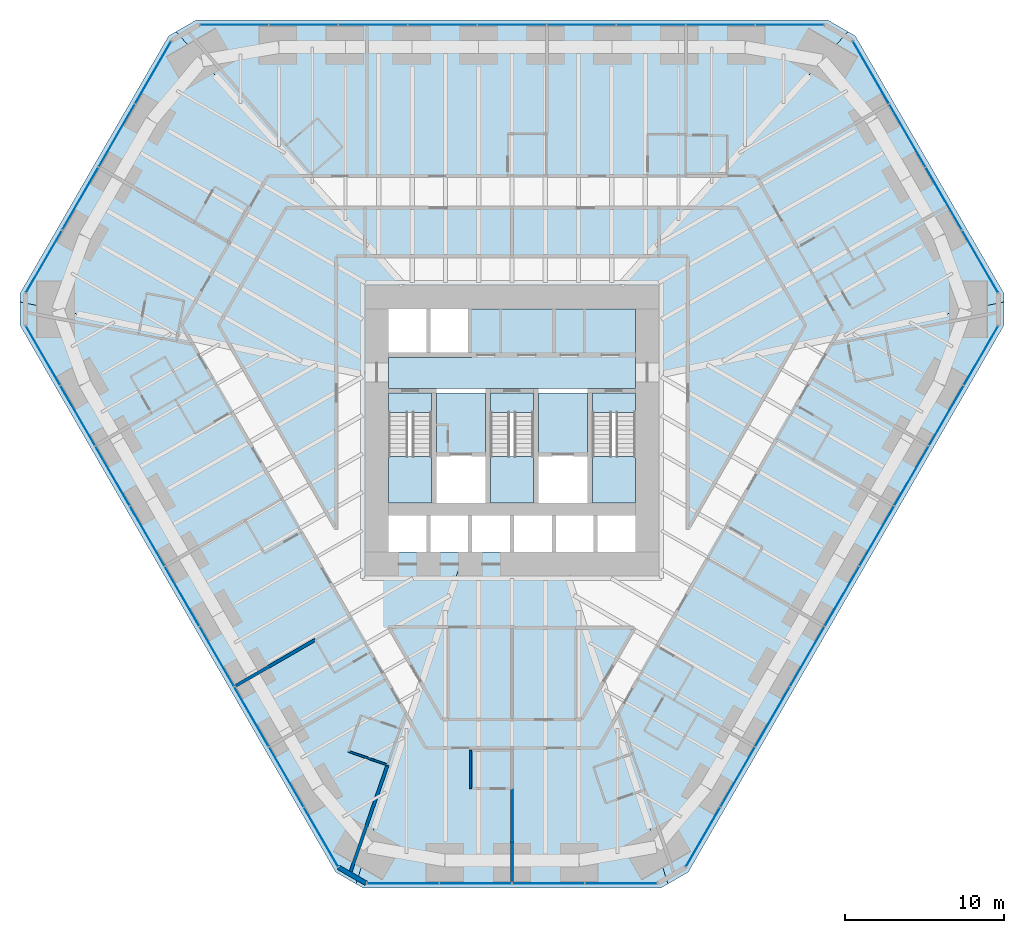
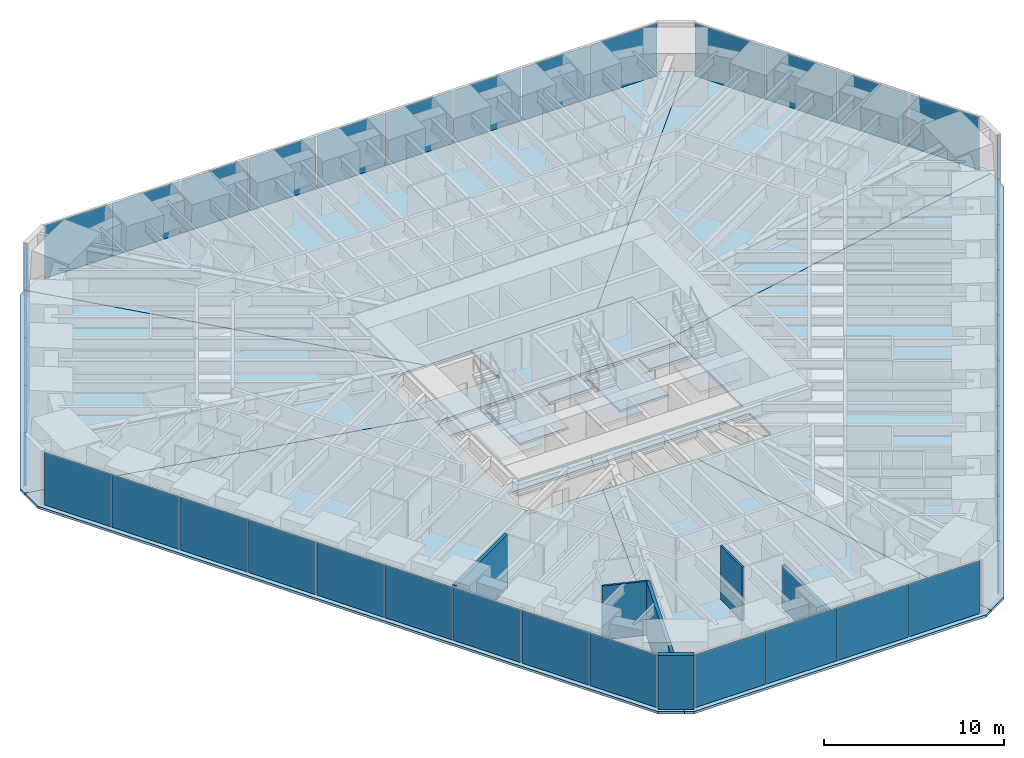
# One storey, part 10 of 17: 39 plates, 15 slabs, 6 walls, 9 elements without a shape of their own.
"""IFC4 building model written with IfcOpenShell, lengths in metres."""

from ifc_helpers import new_model, si_unit, direction, frame, frame_2d, origin, origin_2d, place, context, subcontext, project, spatial, polyline, rectangle, outline, extrude, material, layer, layer_set, type_object, element, aggregate, save


model = new_model("IFC4")

# Units and contexts
model_context = context("Model", 3, precision=1e-05, world=origin(), true_north=direction((0.0, 1.0)))
body_context = subcontext(model_context, "Body", "Model", "MODEL_VIEW")
ifc_project = project(units=[si_unit("LENGTHUNIT", "METRE"), si_unit("AREAUNIT", "SQUARE_METRE"), si_unit("VOLUMEUNIT", "CUBIC_METRE"), si_unit("PLANEANGLEUNIT", "RADIAN"), si_unit("MASSUNIT", "GRAM", prefix="KILO")], contexts=[model_context])

# Site, building, storey
site_placement = place(None, origin())
site = spatial("IfcSite", under=ifc_project, at=site_placement, CompositionType="ELEMENT")
building_placement = place(site_placement, origin())
building = spatial("IfcBuilding", under=site, at=building_placement, Name="Sandreach Pilgrim Tower", CompositionType="ELEMENT")
storey_placement = place(building_placement, frame((0.0, 0.0, 57.199951171875)))
storey = spatial("IfcBuildingStorey", under=building, at=storey_placement, Name="L13", CompositionType="ELEMENT", Elevation=57.199951171875)

# Curtain wall, plates
ifc_material_1 = material(Name="Aluminium framed curtain wall", Category="aluminium")
curtain_wall_type = type_object("IfcCurtainWallType", Name="Hostel tower curtain wall", PredefinedType="NOTDEFINED", material=ifc_material_1)
curtain_wall_1_placement = place(storey_placement, origin())
curtain_wall_1 = element("IfcCurtainWall", 1, at=curtain_wall_1_placement, inside=storey, type_object=curtain_wall_type, Name="CW-1 L13 N", PredefinedType="NOTDEFINED")
ifc_material_2 = material(Name="Insulating glass unit 6 heat-strengthened + 12 argon + 6 heat-strengthened", Category="glass")
ifc_layer_1 = layer(ifc_material_2, 0.02392578125)
ifc_layer_set_1 = layer_set([ifc_layer_1], Name="CW-1 panel")
plate_type = type_object("IfcPlateType", Name="CW-1 panel", PredefinedType="CURTAIN_PANEL", material=ifc_layer_set_1)
plate_1_placement = place(storey_placement, frame((-17.469970703125, 23.94873046875, 0.0), z_axis=(0.0, 0.0, 1.0), x_axis=(1.0, 0.0, 0.0)))
plate_1 = element("IfcPlate", 2, at=plate_1_placement, type_object=plate_type, Name="CW-1 panel 1", PredefinedType="CURTAIN_PANEL", context=body_context, shape_type="SweptSolid", body=[
    extrude(rectangle(XDim=4.274169921875, YDim=0.02392578125, at=origin_2d()), origin(), (0.0, 0.0, 1.0), 3.570068359375),
])
plate_2_placement = place(storey_placement, frame((-13.11474609375, 23.94873046875, 0.0), z_axis=(0.0, 0.0, 1.0), x_axis=(1.0, 0.0, 0.0)))
plate_2 = element("IfcPlate", 3, at=plate_2_placement, type_object=plate_type, Name="CW-1 panel 2", PredefinedType="CURTAIN_PANEL", context=body_context, shape_type="SweptSolid", body=[
    extrude(rectangle(XDim=4.306640625, YDim=0.02392578125, at=origin_2d()), origin(), (0.0, 0.0, 1.0), 3.570068359375),
])
plate_3_placement = place(storey_placement, frame((-8.7431640625, 23.94873046875, 0.0), z_axis=(0.0, 0.0, 1.0), x_axis=(1.0, 0.0, 0.0)))
plate_3 = element("IfcPlate", 4, at=plate_3_placement, type_object=plate_type, Name="CW-1 panel 3", PredefinedType="CURTAIN_PANEL", context=body_context, shape_type="SweptSolid", body=[
    extrude(rectangle(XDim=4.306640625, YDim=0.02392578125, at=origin_2d()), origin(), (0.0, 0.0, 1.0), 3.570068359375),
])
plate_4_placement = place(storey_placement, frame((-4.37158203125, 23.94873046875, 0.0), z_axis=(0.0, 0.0, 1.0), x_axis=(1.0, 0.0, 0.0)))
plate_4 = element("IfcPlate", 5, at=plate_4_placement, type_object=plate_type, Name="CW-1 panel 4", PredefinedType="CURTAIN_PANEL", context=body_context, shape_type="SweptSolid", body=[
    extrude(rectangle(XDim=4.306640625, YDim=0.02392578125, at=origin_2d()), origin(), (0.0, 0.0, 1.0), 3.570068359375),
])
plate_5_placement = place(storey_placement, frame((0.0, 23.94873046875, 0.0), z_axis=(0.0, 0.0, 1.0), x_axis=(1.0, 0.0, 0.0)))
plate_5 = element("IfcPlate", 6, at=plate_5_placement, type_object=plate_type, Name="CW-1 panel 5", PredefinedType="CURTAIN_PANEL", context=body_context, shape_type="SweptSolid", body=[
    extrude(rectangle(XDim=4.306640625, YDim=0.02392578125, at=origin_2d()), origin(), (0.0, 0.0, 1.0), 3.570068359375),
])
plate_6_placement = place(storey_placement, frame((4.37158203125, 23.94873046875, 0.0), z_axis=(0.0, 0.0, 1.0), x_axis=(1.0, 0.0, 0.0)))
plate_6 = element("IfcPlate", 7, at=plate_6_placement, type_object=plate_type, Name="CW-1 panel 6", PredefinedType="CURTAIN_PANEL", context=body_context, shape_type="SweptSolid", body=[
    extrude(rectangle(XDim=4.306640625, YDim=0.02392578125, at=origin_2d()), origin(), (0.0, 0.0, 1.0), 3.570068359375),
])
plate_7_placement = place(storey_placement, frame((8.7431640625, 23.94873046875, 0.0), z_axis=(0.0, 0.0, 1.0), x_axis=(1.0, 0.0, 0.0)))
plate_7 = element("IfcPlate", 8, at=plate_7_placement, type_object=plate_type, Name="CW-1 panel 7", PredefinedType="CURTAIN_PANEL", context=body_context, shape_type="SweptSolid", body=[
    extrude(rectangle(XDim=4.306640625, YDim=0.02392578125, at=origin_2d()), origin(), (0.0, 0.0, 1.0), 3.570068359375),
])
plate_8_placement = place(storey_placement, frame((13.11474609375, 23.94873046875, 0.0), z_axis=(0.0, 0.0, 1.0), x_axis=(1.0, 0.0, 0.0)))
plate_8 = element("IfcPlate", 9, at=plate_8_placement, type_object=plate_type, Name="CW-1 panel 8", PredefinedType="CURTAIN_PANEL", context=body_context, shape_type="SweptSolid", body=[
    extrude(rectangle(XDim=4.306640625, YDim=0.02392578125, at=origin_2d()), origin(), (0.0, 0.0, 1.0), 3.570068359375),
])
plate_9_placement = place(storey_placement, frame((17.469970703125, 23.94873046875, 0.0), z_axis=(0.0, 0.0, 1.0), x_axis=(1.0, 0.0, 0.0)))
plate_9 = element("IfcPlate", 10, at=plate_9_placement, type_object=plate_type, Name="CW-1 panel 9", PredefinedType="CURTAIN_PANEL", context=body_context, shape_type="SweptSolid", body=[
    extrude(rectangle(XDim=4.274169921875, YDim=0.02392578125, at=origin_2d()), origin(), (0.0, 0.0, 1.0), 3.570068359375),
])
aggregate(curtain_wall_1, [plate_1, plate_2, plate_3, plate_4, plate_5, plate_6, plate_7, plate_8, plate_9])

curtain_wall_2_placement = place(storey_placement, origin())
curtain_wall_2 = element("IfcCurtainWall", 11, at=curtain_wall_2_placement, inside=storey, type_object=curtain_wall_type, Name="CW-1 L13 NE", PredefinedType="NOTDEFINED")
plate_10_placement = place(storey_placement, frame((22.558837890625, 20.94873046875, 0.0), z_axis=(0.0, 0.0, 1.0), x_axis=(0.5, -0.866025403784, 0.0)))
plate_10 = element("IfcPlate", 12, at=plate_10_placement, type_object=plate_type, Name="CW-1 panel 1", PredefinedType="CURTAIN_PANEL", context=body_context, shape_type="SweptSolid", body=[
    extrude(rectangle(XDim=4.488525390625, YDim=0.02392578125, at=origin_2d()), origin(), (0.0, 0.0, 1.0), 3.570068359375),
])
plate_11_placement = place(storey_placement, frame((24.84375, 16.9912109375, 0.0), z_axis=(0.0, 0.0, 1.0), x_axis=(0.5, -0.866025403784, 0.0)))
plate_11 = element("IfcPlate", 13, at=plate_11_placement, type_object=plate_type, Name="CW-1 panel 2", PredefinedType="CURTAIN_PANEL", context=body_context, shape_type="SweptSolid", body=[
    extrude(rectangle(XDim=4.52099609375, YDim=0.02392578125, at=origin_2d()), origin(), (0.0, 0.0, 1.0), 3.570068359375),
])
plate_12_placement = place(storey_placement, frame((27.13671875, 13.01953125, 0.0), z_axis=(0.0, 0.0, 1.0), x_axis=(0.5, -0.866025403784, 0.0)))
plate_12 = element("IfcPlate", 14, at=plate_12_placement, type_object=plate_type, Name="CW-1 panel 3", PredefinedType="CURTAIN_PANEL", context=body_context, shape_type="SweptSolid", body=[
    extrude(rectangle(XDim=4.52099609375, YDim=0.02392578125, at=origin_2d()), origin(), (0.0, 0.0, 1.0), 3.570068359375),
])
plate_13_placement = place(storey_placement, frame((29.421630859375, 9.06201171875, 0.0), z_axis=(0.0, 0.0, 1.0), x_axis=(0.5, -0.866025403784, 0.0)))
plate_13 = element("IfcPlate", 15, at=plate_13_placement, type_object=plate_type, Name="CW-1 panel 4", PredefinedType="CURTAIN_PANEL", context=body_context, shape_type="SweptSolid", body=[
    extrude(rectangle(XDim=4.488525390625, YDim=0.02392578125, at=origin_2d()), origin(), (0.0, 0.0, 1.0), 3.570068359375),
])
aggregate(curtain_wall_2, [plate_10, plate_11, plate_12, plate_13])

curtain_wall_3_placement = place(storey_placement, origin())
curtain_wall_3 = element("IfcCurtainWall", 16, at=curtain_wall_3_placement, inside=storey, type_object=curtain_wall_type, Name="CW-1 L13 SE", PredefinedType="NOTDEFINED")
plate_14_placement = place(storey_placement, frame((29.475341796875, 3.1552734375, 0.0), z_axis=(0.0, 0.0, 1.0), x_axis=(-0.5, -0.866025403784, 0.0)))
plate_14 = element("IfcPlate", 17, at=plate_14_placement, type_object=plate_type, Name="CW-1 panel 1", PredefinedType="CURTAIN_PANEL", context=body_context, shape_type="SweptSolid", body=[
    extrude(rectangle(XDim=4.274169921875, YDim=0.02392578125, at=origin_2d()), origin(), (0.0, 0.0, 1.0), 3.570068359375),
])
plate_15_placement = place(storey_placement, frame((27.297607421875, -0.61669921875, 0.0), z_axis=(0.0, 0.0, 1.0), x_axis=(-0.5, -0.866025403784, 0.0)))
plate_15 = element("IfcPlate", 18, at=plate_15_placement, type_object=plate_type, Name="CW-1 panel 2", PredefinedType="CURTAIN_PANEL", context=body_context, shape_type="SweptSolid", body=[
    extrude(rectangle(XDim=4.306640625, YDim=0.02392578125, at=origin_2d()), origin(), (0.0, 0.0, 1.0), 3.570068359375),
])
plate_16_placement = place(storey_placement, frame((25.11181640625, -4.402587890625, 0.0), z_axis=(0.0, 0.0, 1.0), x_axis=(-0.5, -0.866025403784, 0.0)))
plate_16 = element("IfcPlate", 19, at=plate_16_placement, type_object=plate_type, Name="CW-1 panel 3", PredefinedType="CURTAIN_PANEL", context=body_context, shape_type="SweptSolid", body=[
    extrude(rectangle(XDim=4.306640625, YDim=0.02392578125, at=origin_2d()), origin(), (0.0, 0.0, 1.0), 3.570068359375),
])
plate_17_placement = place(storey_placement, frame((22.926025390625, -8.1884765625, 0.0), z_axis=(0.0, 0.0, 1.0), x_axis=(-0.5, -0.866025403784, 0.0)))
plate_17 = element("IfcPlate", 20, at=plate_17_placement, type_object=plate_type, Name="CW-1 panel 4", PredefinedType="CURTAIN_PANEL", context=body_context, shape_type="SweptSolid", body=[
    extrude(rectangle(XDim=4.306640625, YDim=0.02392578125, at=origin_2d()), origin(), (0.0, 0.0, 1.0), 3.570068359375),
])
plate_18_placement = place(storey_placement, frame((20.740234375, -11.974365234375, 0.0), z_axis=(0.0, 0.0, 1.0), x_axis=(-0.5, -0.866025403784, 0.0)))
plate_18 = element("IfcPlate", 21, at=plate_18_placement, type_object=plate_type, Name="CW-1 panel 5", PredefinedType="CURTAIN_PANEL", context=body_context, shape_type="SweptSolid", body=[
    extrude(rectangle(XDim=4.306640625, YDim=0.02392578125, at=origin_2d()), origin(), (0.0, 0.0, 1.0), 3.570068359375),
])
plate_19_placement = place(storey_placement, frame((18.554443359375, -15.76025390625, 0.0), z_axis=(0.0, 0.0, 1.0), x_axis=(-0.5, -0.866025403784, 0.0)))
plate_19 = element("IfcPlate", 22, at=plate_19_placement, type_object=plate_type, Name="CW-1 panel 6", PredefinedType="CURTAIN_PANEL", context=body_context, shape_type="SweptSolid", body=[
    extrude(rectangle(XDim=4.306640625, YDim=0.02392578125, at=origin_2d()), origin(), (0.0, 0.0, 1.0), 3.570068359375),
])
plate_20_placement = place(storey_placement, frame((16.36865234375, -19.546142578125, 0.0), z_axis=(0.0, 0.0, 1.0), x_axis=(-0.5, -0.866025403784, 0.0)))
plate_20 = element("IfcPlate", 23, at=plate_20_placement, type_object=plate_type, Name="CW-1 panel 7", PredefinedType="CURTAIN_PANEL", context=body_context, shape_type="SweptSolid", body=[
    extrude(rectangle(XDim=4.306640625, YDim=0.02392578125, at=origin_2d()), origin(), (0.0, 0.0, 1.0), 3.570068359375),
])
plate_21_placement = place(storey_placement, frame((14.182861328125, -23.33203125, 0.0), z_axis=(0.0, 0.0, 1.0), x_axis=(-0.5, -0.866025403784, 0.0)))
plate_21 = element("IfcPlate", 24, at=plate_21_placement, type_object=plate_type, Name="CW-1 panel 8", PredefinedType="CURTAIN_PANEL", context=body_context, shape_type="SweptSolid", body=[
    extrude(rectangle(XDim=4.306640625, YDim=0.02392578125, at=origin_2d()), origin(), (0.0, 0.0, 1.0), 3.570068359375),
])
plate_22_placement = place(storey_placement, frame((12.005126953125, -27.103759765625, 0.0), z_axis=(0.0, 0.0, 1.0), x_axis=(-0.5, -0.866025403784, 0.0)))
plate_22 = element("IfcPlate", 25, at=plate_22_placement, type_object=plate_type, Name="CW-1 panel 9", PredefinedType="CURTAIN_PANEL", context=body_context, shape_type="SweptSolid", body=[
    extrude(rectangle(XDim=4.274169921875, YDim=0.02392578125, at=origin_2d()), origin(), (0.0, 0.0, 1.0), 3.570068359375),
])
aggregate(curtain_wall_3, [plate_14, plate_15, plate_16, plate_17, plate_18, plate_19, plate_20, plate_21, plate_22])

curtain_wall_4_placement = place(storey_placement, origin())
curtain_wall_4 = element("IfcCurtainWall", 26, at=curtain_wall_4_placement, inside=storey, type_object=curtain_wall_type, Name="CW-1 L13 S", PredefinedType="NOTDEFINED")
plate_23_placement = place(storey_placement, frame((6.86279296875, -30.010986328125, 0.0), z_axis=(0.0, 0.0, 1.0), x_axis=(-1.0, 0.0, 0.0)))
plate_23 = element("IfcPlate", 27, at=plate_23_placement, type_object=plate_type, Name="CW-1 panel 1", PredefinedType="CURTAIN_PANEL", context=body_context, shape_type="SweptSolid", body=[
    extrude(rectangle(XDim=4.488525390625, YDim=0.02392578125, at=origin_2d()), origin(), (0.0, 0.0, 1.0), 3.570068359375),
])
plate_24_placement = place(storey_placement, frame((2.29296875, -30.010986328125, 0.0), z_axis=(0.0, 0.0, 1.0), x_axis=(-1.0, 0.0, 0.0)))
plate_24 = element("IfcPlate", 28, at=plate_24_placement, type_object=plate_type, Name="CW-1 panel 2", PredefinedType="CURTAIN_PANEL", context=body_context, shape_type="SweptSolid", body=[
    extrude(rectangle(XDim=4.52099609375, YDim=0.02392578125, at=origin_2d()), origin(), (0.0, 0.0, 1.0), 3.570068359375),
])
plate_25_placement = place(storey_placement, frame((-2.29296875, -30.010986328125, 0.0), z_axis=(0.0, 0.0, 1.0), x_axis=(-1.0, 0.0, 0.0)))
plate_25 = element("IfcPlate", 29, at=plate_25_placement, type_object=plate_type, Name="CW-1 panel 3", PredefinedType="CURTAIN_PANEL", context=body_context, shape_type="SweptSolid", body=[
    extrude(rectangle(XDim=4.52099609375, YDim=0.02392578125, at=origin_2d()), origin(), (0.0, 0.0, 1.0), 3.570068359375),
])
plate_26_placement = place(storey_placement, frame((-6.86279296875, -30.010986328125, 0.0), z_axis=(0.0, 0.0, 1.0), x_axis=(-1.0, 0.0, 0.0)))
plate_26 = element("IfcPlate", 30, at=plate_26_placement, type_object=plate_type, Name="CW-1 panel 4", PredefinedType="CURTAIN_PANEL", context=body_context, shape_type="SweptSolid", body=[
    extrude(rectangle(XDim=4.488525390625, YDim=0.02392578125, at=origin_2d()), origin(), (0.0, 0.0, 1.0), 3.570068359375),
])
aggregate(curtain_wall_4, [plate_23, plate_24, plate_25, plate_26])

curtain_wall_5_placement = place(storey_placement, origin())
curtain_wall_5 = element("IfcCurtainWall", 31, at=curtain_wall_5_placement, inside=storey, type_object=curtain_wall_type, Name="CW-1 L13 SW", PredefinedType="NOTDEFINED")
plate_27_placement = place(storey_placement, frame((-12.005126953125, -27.103759765625, 0.0), z_axis=(0.0, 0.0, 1.0), x_axis=(-0.5, 0.866025403784, 0.0)))
plate_27 = element("IfcPlate", 32, at=plate_27_placement, type_object=plate_type, Name="CW-1 panel 1", PredefinedType="CURTAIN_PANEL", context=body_context, shape_type="SweptSolid", body=[
    extrude(rectangle(XDim=4.274169921875, YDim=0.02392578125, at=origin_2d()), origin(), (0.0, 0.0, 1.0), 3.570068359375),
])
plate_28_placement = place(storey_placement, frame((-14.182861328125, -23.33203125, 0.0), z_axis=(0.0, 0.0, 1.0), x_axis=(-0.5, 0.866025403784, 0.0)))
plate_28 = element("IfcPlate", 33, at=plate_28_placement, type_object=plate_type, Name="CW-1 panel 2", PredefinedType="CURTAIN_PANEL", context=body_context, shape_type="SweptSolid", body=[
    extrude(rectangle(XDim=4.306640625, YDim=0.02392578125, at=origin_2d()), origin(), (0.0, 0.0, 1.0), 3.570068359375),
])
plate_29_placement = place(storey_placement, frame((-16.36865234375, -19.546142578125, 0.0), z_axis=(0.0, 0.0, 1.0), x_axis=(-0.5, 0.866025403784, 0.0)))
plate_29 = element("IfcPlate", 34, at=plate_29_placement, type_object=plate_type, Name="CW-1 panel 3", PredefinedType="CURTAIN_PANEL", context=body_context, shape_type="SweptSolid", body=[
    extrude(rectangle(XDim=4.306640625, YDim=0.02392578125, at=origin_2d()), origin(), (0.0, 0.0, 1.0), 3.570068359375),
])
plate_30_placement = place(storey_placement, frame((-18.554443359375, -15.76025390625, 0.0), z_axis=(0.0, 0.0, 1.0), x_axis=(-0.5, 0.866025403784, 0.0)))
plate_30 = element("IfcPlate", 35, at=plate_30_placement, type_object=plate_type, Name="CW-1 panel 4", PredefinedType="CURTAIN_PANEL", context=body_context, shape_type="SweptSolid", body=[
    extrude(rectangle(XDim=4.306640625, YDim=0.02392578125, at=origin_2d()), origin(), (0.0, 0.0, 1.0), 3.570068359375),
])
plate_31_placement = place(storey_placement, frame((-20.740234375, -11.974365234375, 0.0), z_axis=(0.0, 0.0, 1.0), x_axis=(-0.5, 0.866025403784, 0.0)))
plate_31 = element("IfcPlate", 36, at=plate_31_placement, type_object=plate_type, Name="CW-1 panel 5", PredefinedType="CURTAIN_PANEL", context=body_context, shape_type="SweptSolid", body=[
    extrude(rectangle(XDim=4.306640625, YDim=0.02392578125, at=origin_2d()), origin(), (0.0, 0.0, 1.0), 3.570068359375),
])
plate_32_placement = place(storey_placement, frame((-22.926025390625, -8.1884765625, 0.0), z_axis=(0.0, 0.0, 1.0), x_axis=(-0.5, 0.866025403784, 0.0)))
plate_32 = element("IfcPlate", 37, at=plate_32_placement, type_object=plate_type, Name="CW-1 panel 6", PredefinedType="CURTAIN_PANEL", context=body_context, shape_type="SweptSolid", body=[
    extrude(rectangle(XDim=4.306640625, YDim=0.02392578125, at=origin_2d()), origin(), (0.0, 0.0, 1.0), 3.570068359375),
])
plate_33_placement = place(storey_placement, frame((-25.11181640625, -4.402587890625, 0.0), z_axis=(0.0, 0.0, 1.0), x_axis=(-0.5, 0.866025403784, 0.0)))
plate_33 = element("IfcPlate", 38, at=plate_33_placement, type_object=plate_type, Name="CW-1 panel 7", PredefinedType="CURTAIN_PANEL", context=body_context, shape_type="SweptSolid", body=[
    extrude(rectangle(XDim=4.306640625, YDim=0.02392578125, at=origin_2d()), origin(), (0.0, 0.0, 1.0), 3.570068359375),
])
plate_34_placement = place(storey_placement, frame((-27.297607421875, -0.61669921875, 0.0), z_axis=(0.0, 0.0, 1.0), x_axis=(-0.5, 0.866025403784, 0.0)))
plate_34 = element("IfcPlate", 39, at=plate_34_placement, type_object=plate_type, Name="CW-1 panel 8", PredefinedType="CURTAIN_PANEL", context=body_context, shape_type="SweptSolid", body=[
    extrude(rectangle(XDim=4.306640625, YDim=0.02392578125, at=origin_2d()), origin(), (0.0, 0.0, 1.0), 3.570068359375),
])
plate_35_placement = place(storey_placement, frame((-29.475341796875, 3.1552734375, 0.0), z_axis=(0.0, 0.0, 1.0), x_axis=(-0.5, 0.866025403784, 0.0)))
plate_35 = element("IfcPlate", 40, at=plate_35_placement, type_object=plate_type, Name="CW-1 panel 9", PredefinedType="CURTAIN_PANEL", context=body_context, shape_type="SweptSolid", body=[
    extrude(rectangle(XDim=4.274169921875, YDim=0.02392578125, at=origin_2d()), origin(), (0.0, 0.0, 1.0), 3.570068359375),
])
aggregate(curtain_wall_5, [plate_27, plate_28, plate_29, plate_30, plate_31, plate_32, plate_33, plate_34, plate_35])

curtain_wall_6_placement = place(storey_placement, origin())
curtain_wall_6 = element("IfcCurtainWall", 41, at=curtain_wall_6_placement, inside=storey, type_object=curtain_wall_type, Name="CW-1 L13 NW", PredefinedType="NOTDEFINED")
plate_36_placement = place(storey_placement, frame((-29.421630859375, 9.06201171875, 0.0), z_axis=(0.0, 0.0, 1.0), x_axis=(0.5, 0.866025403784, 0.0)))
plate_36 = element("IfcPlate", 42, at=plate_36_placement, type_object=plate_type, Name="CW-1 panel 1", PredefinedType="CURTAIN_PANEL", context=body_context, shape_type="SweptSolid", body=[
    extrude(rectangle(XDim=4.488525390625, YDim=0.02392578125, at=origin_2d()), origin(), (0.0, 0.0, 1.0), 3.570068359375),
])
plate_37_placement = place(storey_placement, frame((-27.13671875, 13.01953125, 0.0), z_axis=(0.0, 0.0, 1.0), x_axis=(0.5, 0.866025403784, 0.0)))
plate_37 = element("IfcPlate", 43, at=plate_37_placement, type_object=plate_type, Name="CW-1 panel 2", PredefinedType="CURTAIN_PANEL", context=body_context, shape_type="SweptSolid", body=[
    extrude(rectangle(XDim=4.52099609375, YDim=0.02392578125, at=origin_2d()), origin(), (0.0, 0.0, 1.0), 3.570068359375),
])
plate_38_placement = place(storey_placement, frame((-24.84375, 16.9912109375, 0.0), z_axis=(0.0, 0.0, 1.0), x_axis=(0.5, 0.866025403784, 0.0)))
plate_38 = element("IfcPlate", 44, at=plate_38_placement, type_object=plate_type, Name="CW-1 panel 3", PredefinedType="CURTAIN_PANEL", context=body_context, shape_type="SweptSolid", body=[
    extrude(rectangle(XDim=4.52099609375, YDim=0.02392578125, at=origin_2d()), origin(), (0.0, 0.0, 1.0), 3.570068359375),
])
plate_39_placement = place(storey_placement, frame((-22.558837890625, 20.94873046875, 0.0), z_axis=(0.0, 0.0, 1.0), x_axis=(0.5, 0.866025403784, 0.0)))
plate_39 = element("IfcPlate", 45, at=plate_39_placement, type_object=plate_type, Name="CW-1 panel 4", PredefinedType="CURTAIN_PANEL", context=body_context, shape_type="SweptSolid", body=[
    extrude(rectangle(XDim=4.488525390625, YDim=0.02392578125, at=origin_2d()), origin(), (0.0, 0.0, 1.0), 3.570068359375),
])
aggregate(curtain_wall_6, [plate_36, plate_37, plate_38, plate_39])

# Slabs
ifc_material_3 = material(Name="Concrete 8000 psi", Category="concrete")
ifc_layer_2 = layer(ifc_material_3, 0.159912109375)
ifc_layer_set_2 = layer_set([ifc_layer_2], Name="Composite floor slab 160")
slab_type_1 = type_object("IfcSlabType", Name="Composite floor slab 160", PredefinedType="FLOOR", material=ifc_layer_set_2)
slab_1_placement = place(storey_placement, frame((0.0, 0.0, -0.159912109375)))
element("IfcSlab", 46, at=slab_1_placement, inside=storey, type_object=slab_type_1, Name="Floor slab L13 N sector", PredefinedType="FLOOR", context=body_context, shape_type="SweptSolid", body=[
    extrude(outline(polyline([(-19.84521484375, 24.248779296875), (19.84521484375, 24.248779296875), (21.115478515625, 23.515380859375), (5.477294921875, 6.10009765625), (-5.477294921875, 6.10009765625), (-21.115478515625, 23.515380859375), (-19.84521484375, 24.248779296875)])), origin(), (0.0, 0.0, 1.0), 0.159912109375),
])
slab_2_placement = place(storey_placement, frame((0.0, 0.0, -0.159912109375)))
element("IfcSlab", 47, at=slab_2_placement, inside=storey, type_object=slab_type_1, Name="Floor slab L13 NE sector", PredefinedType="FLOOR", context=body_context, shape_type="SweptSolid", body=[
    extrude(outline(polyline([(21.577392578125, 23.248779296875), (30.922607421875, 7.062255859375), (30.922607421875, 6.52880859375), (7.75, 1.63623046875), (7.75, 6.10009765625), (5.477294921875, 6.10009765625), (21.115478515625, 23.515380859375), (21.577392578125, 23.248779296875)])), origin(), (0.0, 0.0, 1.0), 0.159912109375),
])
slab_3_placement = place(storey_placement, frame((0.0, 0.0, -0.159912109375)))
element("IfcSlab", 48, at=slab_3_placement, inside=storey, type_object=slab_type_1, Name="Floor slab L13 SE sector", PredefinedType="FLOOR", context=body_context, shape_type="SweptSolid", body=[
    extrude(outline(polyline([(11.077392578125, -29.310791015625), (9.80712890625, -30.044189453125), (3.003173828125, -9.199951171875), (7.75, -9.199951171875), (7.75, -6.89990234375), (-2.252197265625, -6.89990234375), (-1.9912109375, -6.10009765625), (7.75, -6.10009765625), (7.75, 1.63623046875), (30.922607421875, 6.52880859375), (30.922607421875, 5.062255859375), (11.077392578125, -29.310791015625)])), origin(), (0.0, 0.0, 1.0), 0.159912109375),
])
slab_4_placement = place(storey_placement, frame((0.0, 0.0, -0.159912109375)))
element("IfcSlab", 49, at=slab_4_placement, inside=storey, type_object=slab_type_1, Name="Floor slab L13 S sector", PredefinedType="FLOOR", context=body_context, shape_type="SweptSolid", body=[
    extrude(outline(polyline([(9.34521484375, -30.310791015625), (-9.34521484375, -30.310791015625), (-9.80712890625, -30.044189453125), (-3.003173828125, -9.199951171875), (3.003173828125, -9.199951171875), (9.80712890625, -30.044189453125), (9.34521484375, -30.310791015625)])), origin(), (0.0, 0.0, 1.0), 0.159912109375),
])
slab_5_placement = place(storey_placement, frame((0.0, 0.0, -0.159912109375)))
element("IfcSlab", 50, at=slab_5_placement, inside=storey, type_object=slab_type_1, Name="Floor slab L13 SW sector", PredefinedType="FLOOR", context=body_context, shape_type="SweptSolid", body=[
    extrude(outline(polyline([(-11.077392578125, -29.310791015625), (-30.922607421875, 5.062255859375), (-30.922607421875, 6.52880859375), (-7.75, 1.63623046875), (-7.75, -6.10009765625), (-1.9912109375, -6.10009765625), (-2.252197265625, -6.89990234375), (-7.75, -6.89990234375), (-7.75, -9.199951171875), (-3.003173828125, -9.199951171875), (-9.80712890625, -30.044189453125), (-11.077392578125, -29.310791015625)])), origin(), (0.0, 0.0, 1.0), 0.159912109375),
])
slab_6_placement = place(storey_placement, frame((0.0, 0.0, -0.159912109375)))
element("IfcSlab", 51, at=slab_6_placement, inside=storey, type_object=slab_type_1, Name="Floor slab L13 NW sector", PredefinedType="FLOOR", context=body_context, shape_type="SweptSolid", body=[
    extrude(outline(polyline([(-30.922607421875, 7.062255859375), (-21.577392578125, 23.248779296875), (-21.115478515625, 23.515380859375), (-5.477294921875, 6.10009765625), (-7.75, 6.10009765625), (-7.75, 1.63623046875), (-30.922607421875, 6.52880859375), (-30.922607421875, 7.062255859375)])), origin(), (0.0, 0.0, 1.0), 0.159912109375),
])
slab_7_placement = place(storey_placement, frame((0.0, 0.0, -0.159912109375)))
element("IfcSlab", 52, at=slab_7_placement, inside=storey, type_object=slab_type_1, Name="Core floor slab L13", PredefinedType="FLOOR", context=body_context, shape_type="SweptSolid", body=[
    extrude(outline(polyline([(-7.75, 3.050048828125), (-5.375, 3.050048828125), (-5.125, 3.050048828125), (-2.5, 3.050048828125), (-2.5, 3.35009765625), (-2.60009765625, 3.35009765625), (-2.60009765625, 6.10009765625), (7.75, 6.10009765625), (7.75, 1.10009765625), (5.050048828125, 1.10009765625), (4.75, 1.10009765625), (1.64990234375, 1.10009765625), (1.35009765625, 1.10009765625), (-1.35009765625, 1.10009765625), (-1.64990234375, 1.10009765625), (-4.75, 1.10009765625), (-5.050048828125, 1.10009765625), (-7.75, 1.10009765625), (-7.75, 3.050048828125)])), origin(), (0.0, 0.0, 1.0), 0.159912109375),
])
slab_8_placement = place(storey_placement, frame((0.0, 0.0, -0.159912109375)))
element("IfcSlab", 53, at=slab_8_placement, inside=storey, type_object=slab_type_1, Name="Core floor slab L13 2", PredefinedType="FLOOR", context=body_context, shape_type="SweptSolid", body=[
    extrude(outline(polyline([(-1.64990234375, -3.050048828125), (-4.75, -3.050048828125), (-4.75, 0.800048828125), (-1.64990234375, 0.800048828125), (-1.64990234375, -3.050048828125)])), origin(), (0.0, 0.0, 1.0), 0.159912109375),
])
slab_9_placement = place(storey_placement, frame((0.0, 0.0, -0.159912109375)))
element("IfcSlab", 54, at=slab_9_placement, inside=storey, type_object=slab_type_1, Name="Core floor slab L13 3", PredefinedType="FLOOR", context=body_context, shape_type="SweptSolid", body=[
    extrude(outline(polyline([(4.75, -3.050048828125), (1.64990234375, -3.050048828125), (1.64990234375, 0.800048828125), (4.75, 0.800048828125), (4.75, -3.050048828125)])), origin(), (0.0, 0.0, 1.0), 0.159912109375),
])

# Stair, slabs
ifc_material_4 = material(Name="Concrete 8000 psi", Category="concrete")
stair_type = type_object("IfcStairType", Name="Core exit stair", PredefinedType="HALF_TURN_STAIR", material=ifc_material_4)
stair_1_placement = place(storey_placement, origin())
stair_1 = element("IfcStair", 55, at=stair_1_placement, inside=storey, type_object=stair_type, Name="Exit stair ST1 L13", PredefinedType="HALF_TURN_STAIR")
ifc_material_5 = material(Name="Concrete 8000 psi", Category="concrete")
ifc_layer_3 = layer(ifc_material_5, 0.199951171875)
ifc_layer_set_3 = layer_set([ifc_layer_3], Name="Core stair landing 200")
slab_type_2 = type_object("IfcSlabType", Name="Core stair landing 200", PredefinedType="LANDING", material=ifc_layer_set_3)
slab_10_placement = place(storey_placement, frame((0.0, 0.0, -0.199951171875)))
slab_10 = element("IfcSlab", 56, at=slab_10_placement, type_object=slab_type_2, Name="ST1 landing 1", PredefinedType="LANDING", context=body_context, shape_type="SweptSolid", body=[
    extrude(outline(polyline([(-7.75, -0.425048828125), (-5.050048828125, -0.425048828125), (-5.050048828125, 0.800048828125), (-7.75, 0.800048828125), (-7.75, -0.425048828125)])), origin(), (0.0, 0.0, 1.0), 0.199951171875),
])
slab_11_placement = place(storey_placement, frame((0.0, 0.0, 1.699951171875)))
slab_11 = element("IfcSlab", 57, at=slab_11_placement, type_object=slab_type_2, Name="ST1 landing 2", PredefinedType="LANDING", context=body_context, shape_type="SweptSolid", body=[
    extrude(outline(polyline([(-7.75, -6.10009765625), (-5.050048828125, -6.10009765625), (-5.050048828125, -3.175048828125), (-7.75, -3.175048828125), (-7.75, -6.10009765625)])), origin(), (0.0, 0.0, 1.0), 0.2001953125),
])
aggregate(stair_1, [slab_10, slab_11])

stair_2_placement = place(storey_placement, origin())
stair_2 = element("IfcStair", 58, at=stair_2_placement, inside=storey, type_object=stair_type, Name="Exit stair ST3 L13", PredefinedType="HALF_TURN_STAIR")
slab_12_placement = place(storey_placement, frame((0.0, 0.0, -0.199951171875)))
slab_12 = element("IfcSlab", 59, at=slab_12_placement, type_object=slab_type_2, Name="ST3 landing 1", PredefinedType="LANDING", context=body_context, shape_type="SweptSolid", body=[
    extrude(outline(polyline([(-1.35009765625, -0.425048828125), (1.35009765625, -0.425048828125), (1.35009765625, 0.800048828125), (-1.35009765625, 0.800048828125), (-1.35009765625, -0.425048828125)])), origin(), (0.0, 0.0, 1.0), 0.199951171875),
])
slab_13_placement = place(storey_placement, frame((0.0, 0.0, 1.699951171875)))
slab_13 = element("IfcSlab", 60, at=slab_13_placement, type_object=slab_type_2, Name="ST3 landing 2", PredefinedType="LANDING", context=body_context, shape_type="SweptSolid", body=[
    extrude(outline(polyline([(-1.35009765625, -6.10009765625), (1.35009765625, -6.10009765625), (1.35009765625, -3.175048828125), (-1.35009765625, -3.175048828125), (-1.35009765625, -6.10009765625)])), origin(), (0.0, 0.0, 1.0), 0.2001953125),
])
aggregate(stair_2, [slab_12, slab_13])

stair_3_placement = place(storey_placement, origin())
stair_3 = element("IfcStair", 61, at=stair_3_placement, inside=storey, type_object=stair_type, Name="Exit stair ST2 L13", PredefinedType="HALF_TURN_STAIR")
slab_14_placement = place(storey_placement, frame((0.0, 0.0, -0.199951171875)))
slab_14 = element("IfcSlab", 62, at=slab_14_placement, type_object=slab_type_2, Name="ST2 landing 1", PredefinedType="LANDING", context=body_context, shape_type="SweptSolid", body=[
    extrude(outline(polyline([(5.050048828125, -0.425048828125), (7.75, -0.425048828125), (7.75, 0.800048828125), (5.050048828125, 0.800048828125), (5.050048828125, -0.425048828125)])), origin(), (0.0, 0.0, 1.0), 0.199951171875),
])
slab_15_placement = place(storey_placement, frame((0.0, 0.0, 1.699951171875)))
slab_15 = element("IfcSlab", 63, at=slab_15_placement, type_object=slab_type_2, Name="ST2 landing 2", PredefinedType="LANDING", context=body_context, shape_type="SweptSolid", body=[
    extrude(outline(polyline([(5.050048828125, -6.10009765625), (7.75, -6.10009765625), (7.75, -3.175048828125), (5.050048828125, -3.175048828125), (5.050048828125, -6.10009765625)])), origin(), (0.0, 0.0, 1.0), 0.2001953125),
])
aggregate(stair_3, [slab_14, slab_15])

# Walls
ifc_material_6 = material(Name="Moisture-resistant gypsum board on steel studs", Category="steel")
ifc_layer_4 = layer(ifc_material_6, 0.1201171875)
ifc_layer_set_4 = layer_set([ifc_layer_4], Name="Bathroom partition 120")
wall_type_1 = type_object("IfcWallType", Name="Bathroom partition 120", PredefinedType="PARTITIONING", material=ifc_layer_set_4)
wall_1_placement = place(storey_placement, frame((-10.280029296875, -21.719970703125, 0.0), z_axis=(0.0, 0.0, 1.0), x_axis=(0.94515546045, -0.326620813149, 0.0)))
element("IfcWall", 64, at=wall_1_placement, inside=storey, type_object=wall_type_1, Name="Bathroom partition L13-049", PredefinedType="PARTITIONING", context=body_context, shape_type="SweptSolid", body=[
    extrude(rectangle(XDim=2.602783203125, YDim=0.1201171875, at=frame_2d((1.30126953125, 0.0))), origin(), (0.0, 0.0, 1.0), 3.64013671875),
])
wall_2_placement = place(storey_placement, frame((-2.60009765625, -21.659912109375, 0.0), z_axis=(0.0, 0.0, 1.0), x_axis=(0.0, -1.0, 0.0)))
element("IfcWall", 65, at=wall_2_placement, inside=storey, type_object=wall_type_1, Name="Bathroom partition L13-069", PredefinedType="PARTITIONING", context=body_context, shape_type="SweptSolid", body=[
    extrude(rectangle(XDim=2.400146484375, YDim=0.1201171875, at=frame_2d((1.2001953125, 0.0))), origin(), (0.0, 0.0, 1.0), 3.64013671875),
])
ifc_material_7 = material(Name="Double steel stud acoustic wall, gypsum board", Category="steel")
ifc_layer_5 = layer(ifc_material_7, 0.199951171875)
ifc_layer_set_5 = layer_set([ifc_layer_5], Name="Party wall 200")
wall_type_2 = type_object("IfcWallType", Name="Party wall 200", PredefinedType="PARTITIONING", material=ifc_layer_set_5)
wall_3_placement = place(storey_placement, frame((-17.356201171875, -17.590087890625, 0.0), z_axis=(0.0, 0.0, 1.0), x_axis=(0.865929957466, 0.500165281445, 0.0)))
element("IfcWall", 66, at=wall_3_placement, inside=storey, type_object=wall_type_2, Name="Party wall L13-030", PredefinedType="PARTITIONING", context=body_context, shape_type="SweptSolid", body=[
    extrude(rectangle(XDim=5.75830078125, YDim=0.199951171875, at=frame_2d((2.879150390625, 0.0))), origin(), (0.0, 0.0, 1.0), 3.64013671875),
])
wall_4_placement = place(storey_placement, frame((-10.2001953125, -29.441650390625, 0.0), z_axis=(0.0, 0.0, 1.0), x_axis=(0.327154379454, 0.944970905374, 0.0)))
element("IfcWall", 67, at=wall_4_placement, inside=storey, type_object=wall_type_2, Name="Party wall L13-050", PredefinedType="PARTITIONING", context=body_context, shape_type="SweptSolid", body=[
    extrude(rectangle(XDim=7.272216796875, YDim=0.199951171875, at=frame_2d((3.63623046875, 0.0))), origin(), (0.0, 0.0, 1.0), 3.64013671875),
])
wall_5_placement = place(storey_placement, frame((0.0, -29.889892578125, 0.0), z_axis=(0.0, 0.0, 1.0), x_axis=(0.0, 1.0, 0.0)))
element("IfcWall", 68, at=wall_5_placement, inside=storey, type_object=wall_type_2, Name="Party wall L13-072", PredefinedType="PARTITIONING", context=body_context, shape_type="SweptSolid", body=[
    extrude(rectangle(XDim=5.829833984375, YDim=0.199951171875, at=frame_2d((2.9150390625, 0.0))), origin(), (0.0, 0.0, 1.0), 2.8603515625),
])
ifc_material_8 = material(Name="Terracotta rainscreen on concrete", Category="masonry")
ifc_layer_6 = layer(ifc_material_8, 0.300048828125)
ifc_layer_set_6 = layer_set([ifc_layer_6], Name="Terracotta chamfer pier")
wall_type_3 = type_object("IfcWallType", Name="Terracotta chamfer pier", PredefinedType="SOLIDWALL", material=ifc_layer_set_6)
wall_6_placement = place(storey_placement, frame((-9.172119140625, -30.010986328125, 0.0), z_axis=(0.0, 0.0, 1.0), x_axis=(-0.866010750942, 0.50002537861, 0.0)))
element("IfcWall", 69, at=wall_6_placement, inside=storey, type_object=wall_type_3, Name="Chamfer pier L13 S", PredefinedType="SOLIDWALL", context=body_context, shape_type="SweptSolid", body=[
    extrude(rectangle(XDim=2.0, YDim=0.300048828125, at=frame_2d((1.0, 0.0))), origin(), (0.0, 0.0, 1.0), 3.64013671875),
])

save(model, "model.ifc")
